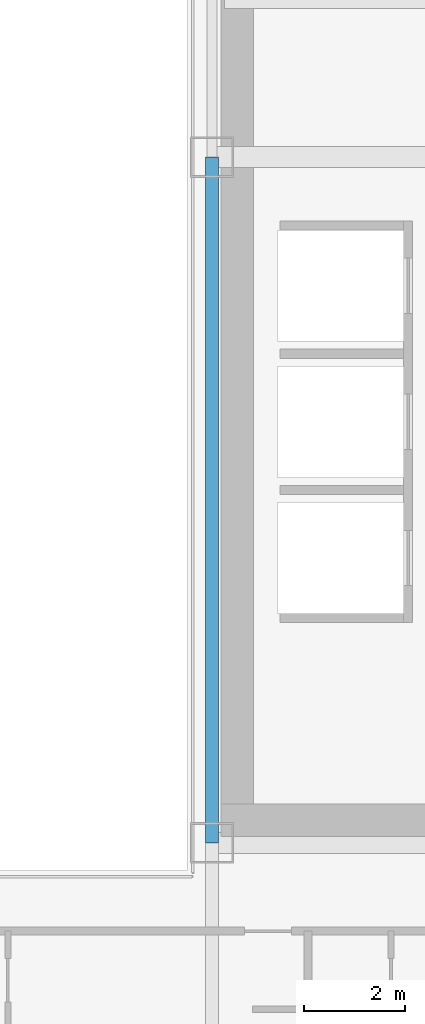
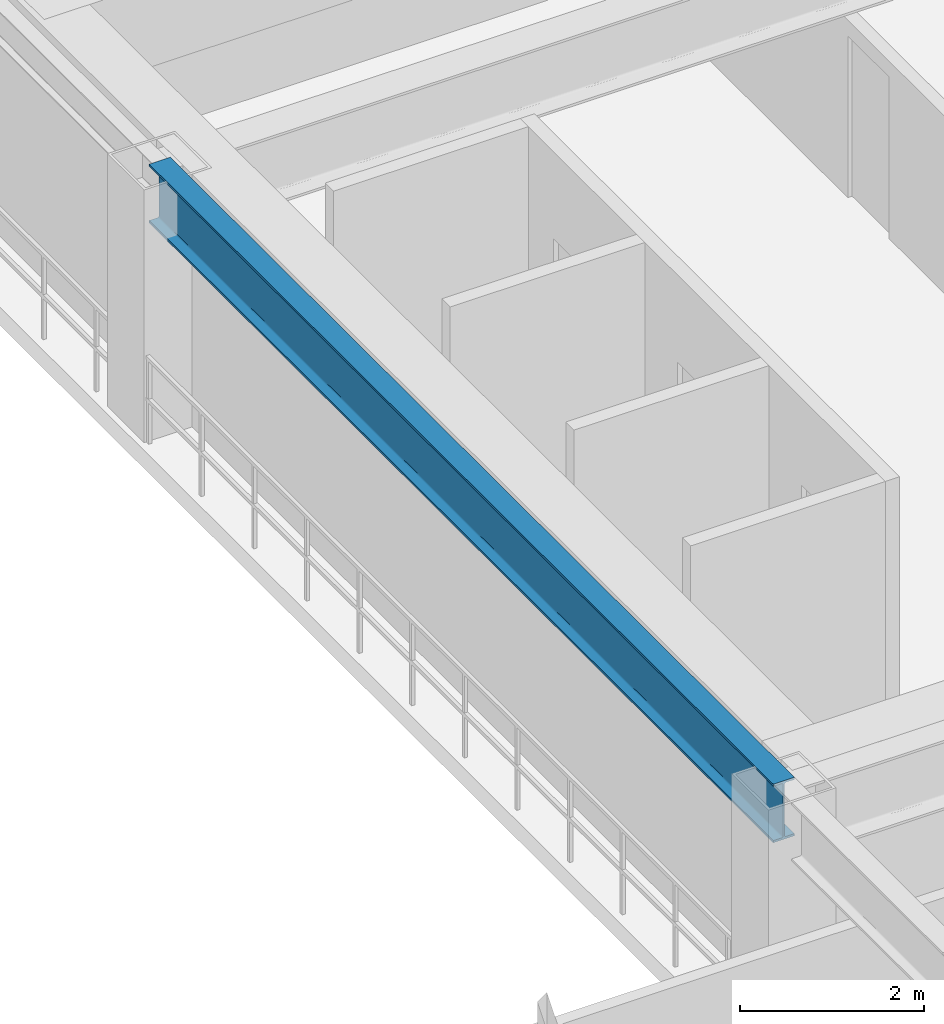
# One storey, part 12 of 35: 1 beam.
"""IFC4 building model written with IfcOpenShell, lengths in metres."""

from ifc_helpers import new_model, si_unit, direction, frame, origin, origin_2d, place, context, subcontext, project, spatial, i_section, extrude, source, transform, mapped, material, material_profile, profile_set, type_object, element, save


model = new_model("IFC4")

# Units and contexts
model_context = context("Model", 3, precision=1e-05, world=origin(), true_north=direction((0.0, 1.0)))
body_context = subcontext(model_context, "Body", "Model", "MODEL_VIEW")
ifc_project = project(units=[si_unit("LENGTHUNIT", "METRE"), si_unit("AREAUNIT", "SQUARE_METRE"), si_unit("VOLUMEUNIT", "CUBIC_METRE"), si_unit("PLANEANGLEUNIT", "RADIAN"), si_unit("MASSUNIT", "GRAM", prefix="KILO")], contexts=[model_context])

# Site, building, storey
site_placement = place(None, origin())
site = spatial("IfcSite", under=ifc_project, at=site_placement, CompositionType="ELEMENT")
building_placement = place(site_placement, origin())
building = spatial("IfcBuilding", under=site, at=building_placement, Name="Ocotamira Hotel", CompositionType="ELEMENT")
storey_placement = place(building_placement, frame((0.0, 0.0, 144.0)))
storey = spatial("IfcBuildingStorey", under=building, at=storey_placement, Name="L36", CompositionType="ELEMENT", Elevation=144.0)

# Beam
ifc_material = material(Name="Steel ASTM A992 Grade 50", Category="steel")
ifc_material_profile = material_profile(ifc_material, i_section(OverallWidth=0.26611328125, OverallDepth=0.779052734375, WebThickness=0.0166015625, FlangeThickness=0.030029296875, FilletRadius=0.01806640625, at=origin_2d()), Name="W30X148")
ifc_profile_set = profile_set([ifc_material_profile], Name="Steel ASTM A992 Grade 50")
beam_type = type_object("IfcBeamType", Name="BM-GIRD-W30X148", PredefinedType="BEAM", material=ifc_profile_set)
shared_shape = source(origin(), body_context, "Body", "SweptSolid", [
    extrude(i_section(OverallWidth=0.26611328125, OverallDepth=0.779052734375, WebThickness=0.0166015625, FlangeThickness=0.030029296875, FilletRadius=0.01806640625, at=origin_2d()), origin(), (0.0, 0.0, 1.0), 13.599853515625),
])
beam_placement = place(storey_placement, frame((40.5, 14.550048828125, 2.970458984375), z_axis=(0.0, 1.0, 0.0), x_axis=(-1.0, 0.0, 0.0)))
element("IfcBeam", 1, at=beam_placement, inside=storey, type_object=beam_type, Name="L36 Beam X40.5 Y14.55-28.15", PredefinedType="BEAM", context=body_context, shape_type="MappedRepresentation", body=[
    mapped(shared_shape, transform((0.0, 0.0, 0.0), scale=1.0)),
])

save(model, "model.ifc")
